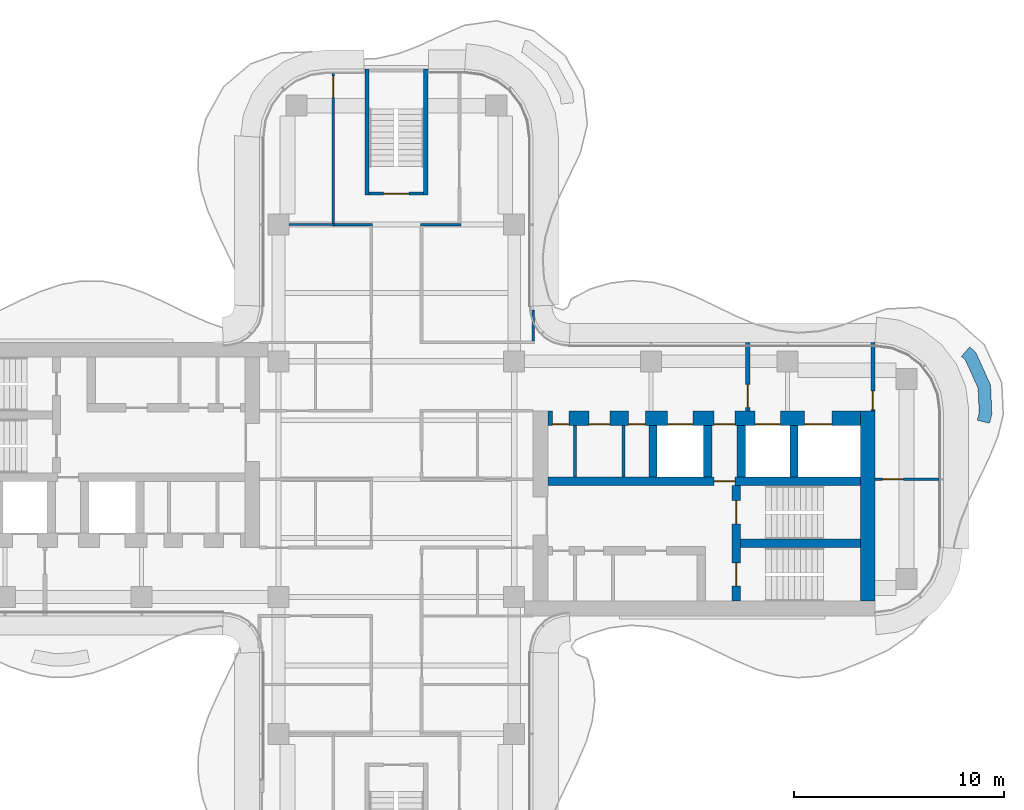
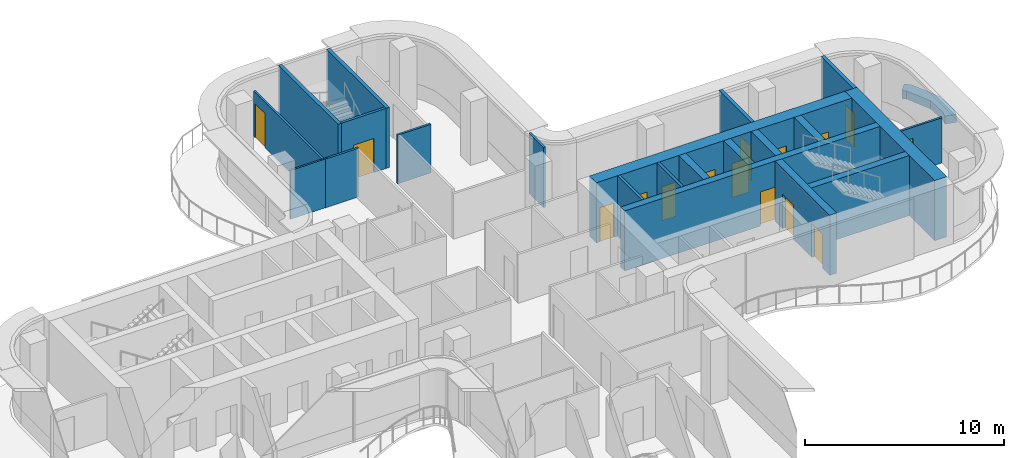
# One storey, part 13 of 16: 23 walls, 15 doors, 15 openings.
"""IFC4 building model written with IfcOpenShell, lengths in metres."""

from ifc_helpers import new_model, si_unit, direction, frame, frame_2d, origin, place, context, subcontext, project, spatial, polyline, rectangle, outline, extrude, source, transform, mapped, material, layer, layer_set, type_object, element, fill, save


model = new_model("IFC4")

# Units and contexts
model_context = context("Model", 3, precision=1e-05, world=origin(), true_north=direction((0.0, 1.0)))
body_context = subcontext(model_context, "Body", "Model", "MODEL_VIEW")
ifc_project = project(units=[si_unit("LENGTHUNIT", "METRE"), si_unit("AREAUNIT", "SQUARE_METRE"), si_unit("VOLUMEUNIT", "CUBIC_METRE"), si_unit("PLANEANGLEUNIT", "RADIAN"), si_unit("MASSUNIT", "GRAM", prefix="KILO")], contexts=[model_context])

# Site, building, storey
site_placement = place(None, origin())
site = spatial("IfcSite", under=ifc_project, at=site_placement, CompositionType="ELEMENT")
building_placement = place(site_placement, origin())
building = spatial("IfcBuilding", under=site, at=building_placement, Name="Trellis Farm Tower", CompositionType="ELEMENT")
storey_placement = place(building_placement, frame((0.0, 0.0, 310.60009765625)))
storey = spatial("IfcBuildingStorey", under=building, at=storey_placement, Name="L70", CompositionType="ELEMENT", Elevation=310.60009765625)

# Wall, opening, door
ifc_material_1 = material(Name="Plasterboard on steel studs, mineral wool", Category="steel")
ifc_layer_1 = layer(ifc_material_1, 0.125)
ifc_layer_set_1 = layer_set([ifc_layer_1], Name="PARTITION 125 STUD EI 60")
wall_type_1 = type_object("IfcWallType", Name="PARTITION 125 STUD EI 60", PredefinedType="PARTITIONING", material=ifc_layer_set_1)
wall_1_placement = place(storey_placement, frame((-3.0, 12.14990234375, 0.0), z_axis=(0.0, 0.0, 1.0), x_axis=(0.0, 1.0, 0.0)))
wall_1 = element("IfcWall", 1, at=wall_1_placement, inside=storey, type_object=wall_type_1, Name="Partition PW1", PredefinedType="PARTITIONING", context=body_context, shape_type="SweptSolid", body=[
    extrude(rectangle(XDim=7.150146484375, YDim=0.125, at=frame_2d((3.5751953125, 0.0))), origin(), (0.0, 0.0, 1.0), 2.77978515625),
])
shared_shape_1 = source(origin(), body_context, "Body", "SweptSolid", [
    extrude(rectangle(XDim=1.0, YDim=2.10009765625, at=frame_2d((0.5, 1.050048828125))), frame((0.0, 0.072509765625, 0.0), z_axis=(0.0, -1.0, 0.0), x_axis=(1.0, 0.0, 0.0)), (0.0, 0.0, 1.0), 0.14501953125),
])
opening_1_placement = place(wall_1_placement, frame((6.0, 0.0, 0.0)))
opening_1 = element("IfcOpeningElement", 2, at=opening_1_placement, cuts=wall_1, Name="Opening D115", PredefinedType="OPENING", context=body_context, shape_type="MappedRepresentation", body=[
    mapped(shared_shape_1, transform((0.0, 0.0, 0.0))),
])
ifc_material_2 = material(Name="Fire-rated timber door leaf in a hollow metal frame", Category="wood")
door_type_1 = type_object("IfcDoorType", Name="DOOR 1000x2100 FD30S", OperationType="NOTDEFINED", PredefinedType="DOOR", material=ifc_material_2)
shared_shape_2 = source(origin(), body_context, "Body", "SweptSolid", [
    extrude(rectangle(XDim=1.0, YDim=2.10009765625, at=frame_2d((0.5, 1.050048828125))), frame((0.0, 0.02490234375, 0.0), z_axis=(0.0, -1.0, 0.0), x_axis=(1.0, 0.0, 0.0)), (0.0, 0.0, 1.0), 0.050048828125),
])
door_1_placement = place(opening_1_placement, origin())
door_1 = element("IfcDoor", 3, at=door_1_placement, inside=storey, type_object=door_type_1, Name="Door D115", OperationType="SINGLE_SWING_RIGHT", OverallHeight=2.10009765625, OverallWidth=1.0, PredefinedType="DOOR", context=body_context, shape_type="MappedRepresentation", body=[
    mapped(shared_shape_2, transform((0.0, 0.0, 0.0))),
])
fill(opening_1, door_1)

# Walls
ifc_material_3 = material(Name="Sandstone faced masonry planter", Category="masonry")
ifc_layer_2 = layer(ifc_material_3, 0.60009765625)
ifc_layer_set_2 = layer_set([ifc_layer_2], Name="PLANTER BED 600")
wall_type_2 = type_object("IfcWallType", Name="PLANTER BED 600", PredefinedType="USERDEFINED", material=ifc_layer_set_2)
wall_2_placement = place(storey_placement, origin())
element("IfcWall", 4, at=wall_2_placement, inside=storey, type_object=wall_type_2, Name="PLANTER bed", ObjectType="PLANTER", PredefinedType="USERDEFINED", context=body_context, shape_type="SweptSolid", body=[
    extrude(outline(polyline([(28.243408203125, 4.46875), (28.3037109375, 3.096435546875), (28.190673828125, 2.656005859375), (27.609375, 2.805419921875), (27.700439453125, 3.1591796875), (27.64892578125, 4.326904296875), (27.043701171875, 5.664794921875), (26.852783203125, 5.83349609375), (27.25, 6.283203125), (27.53759765625, 6.029296875), (28.243408203125, 4.46875)])), origin(), (0.0, 0.0, 1.0), 0.5),
])
ifc_material_4 = material(Name="Concrete C50/60", Category="concrete")
ifc_layer_3 = layer(ifc_material_4, 0.699951171875)
ifc_layer_set_3 = layer_set([ifc_layer_3], Name="CORE OUTER WALL 700 CONCRETE C50/60")
wall_type_3 = type_object("IfcWallType", Name="CORE OUTER WALL 700 CONCRETE C50/60", PredefinedType="SHEAR", material=ifc_layer_set_3)
shared_shape_3 = source(origin(), body_context, "Body", "SweptSolid", [
    extrude(rectangle(XDim=9.050048828125, YDim=0.699951171875, at=frame_2d((4.52490234375, 0.0))), origin(), (0.0, 0.0, 1.0), 3.699951171875),
])
wall_3_placement = place(storey_placement, frame((22.39990234375, -5.800048828125, 0.0), z_axis=(0.0, 0.0, 1.0), x_axis=(0.0, 1.0, 0.0)))
element("IfcWall", 5, at=wall_3_placement, inside=storey, type_object=wall_type_3, Name="Core wall", PredefinedType="SHEAR", context=body_context, shape_type="MappedRepresentation", body=[
    mapped(shared_shape_3, transform((0.0, 0.0, 0.0))),
])
ifc_layer_4 = layer(ifc_material_4, 0.39990234375)
ifc_layer_set_4 = layer_set([ifc_layer_4], Name="CORE INNER WALL 400 CONCRETE C50/60")
wall_type_4 = type_object("IfcWallType", Name="CORE INNER WALL 400 CONCRETE C50/60", PredefinedType="SHEAR", material=ifc_layer_set_4)
shared_shape_4 = source(origin(), body_context, "Body", "SweptSolid", [
    extrude(rectangle(XDim=2.449951171875, YDim=0.39990234375, at=frame_2d((1.22509765625, 0.0))), origin(), (0.0, 0.0, 1.0), 3.699951171875),
])
for number, where, z_axis, x_axis, name in (
    (6, (12.199951171875, 0.10009765625, 0.0), (0.0, 0.0, 1.0), (0.0, 1.0, 0.0), "Core wall"),
    (7, (14.800048828125, 0.10009765625, 0.0), (0.0, 0.0, 1.0), (0.0, 1.0, 0.0), "Core wall"),
    (8, (16.39990234375, 0.10009765625, 0.0), (0.0, 0.0, 1.0), (0.0, 1.0, 0.0), "Core wall"),
    (9, (18.89990234375, 0.10009765625, 0.0), (0.0, 0.0, 1.0), (0.0, 1.0, 0.0), "Core wall"),
):
    element("IfcWall", number, at=place(storey_placement, frame(where, z_axis=z_axis, x_axis=x_axis)), inside=storey, type_object=wall_type_4, Name=name, PredefinedType="SHEAR", context=body_context, shape_type="MappedRepresentation", body=[
        mapped(shared_shape_4, transform((0.0, 0.0, 0.0))),
    ])

# Wall, opening, door
ifc_material_5 = material(Name="Masonry blockwork", Category="masonry")
ifc_layer_5 = layer(ifc_material_5, 0.199951171875)
ifc_layer_set_5 = layer_set([ifc_layer_5], Name="FIRE LOBBY PARTITION 200 BLOCKWORK")
wall_type_5 = type_object("IfcWallType", Name="FIRE LOBBY PARTITION 200 BLOCKWORK", PredefinedType="PARTITIONING", material=ifc_layer_set_5)
shared_shape_5 = source(origin(), body_context, "Body", "SweptSolid", [
    extrude(rectangle(XDim=3.25, YDim=0.199951171875, at=frame_2d((1.625, 0.0))), origin(), (0.0, 0.0, 1.0), 3.699951171875),
])
wall_4_placement = place(storey_placement, frame((16.699951171875, 3.25, 0.0), z_axis=(0.0, 0.0, 1.0), x_axis=(0.0, 1.0, 0.0)))
wall_4 = element("IfcWall", 10, at=wall_4_placement, inside=storey, type_object=wall_type_5, Name="Fire-fighting lobby partition", PredefinedType="PARTITIONING", context=body_context, shape_type="MappedRepresentation", body=[
    mapped(shared_shape_5, transform((0.0, 0.0, 0.0))),
])
shared_shape_6 = source(origin(), body_context, "Body", "SweptSolid", [
    extrude(rectangle(XDim=1.10009765625, YDim=2.10009765625, at=frame_2d((0.550048828125, 1.050048828125))), frame((0.0, 0.110107421875, 0.0), z_axis=(0.0, -1.0, 0.0), x_axis=(1.0, 0.0, 0.0)), (0.0, 0.0, 1.0), 0.22021484375),
])
opening_2_placement = place(wall_4_placement, frame((0.14990234375, 0.0, 0.0)))
opening_2 = element("IfcOpeningElement", 11, at=opening_2_placement, cuts=wall_4, Name="Opening DC7", PredefinedType="OPENING", context=body_context, shape_type="MappedRepresentation", body=[
    mapped(shared_shape_6, transform((0.0, 0.0, 0.0))),
])
ifc_material_6 = material(Name="Steel", Category="steel")
door_type_2 = type_object("IfcDoorType", Name="CORE FIRE DOOR 1100 X 2100", OperationType="NOTDEFINED", PredefinedType="DOOR", material=ifc_material_6)
shared_shape_7 = source(origin(), body_context, "Body", "SweptSolid", [
    extrude(rectangle(XDim=1.10009765625, YDim=2.10009765625, at=frame_2d((0.550048828125, 1.050048828125))), frame((0.0, 0.02490234375, 0.0), z_axis=(0.0, -1.0, 0.0), x_axis=(1.0, 0.0, 0.0)), (0.0, 0.0, 1.0), 0.050048828125),
])
door_2_placement = place(opening_2_placement, origin())
door_2 = element("IfcDoor", 12, at=door_2_placement, inside=storey, type_object=door_type_2, Name="Core door", OperationType="SINGLE_SWING_RIGHT", OverallHeight=2.10009765625, OverallWidth=1.10009765625, PredefinedType="DOOR", context=body_context, shape_type="MappedRepresentation", body=[
    mapped(shared_shape_7, transform((0.0, 0.0, 0.0))),
])
fill(opening_2, door_2)

wall_5_placement = place(storey_placement, frame((22.64990234375, 3.25, 0.0), z_axis=(0.0, 0.0, 1.0), x_axis=(0.0, 1.0, 0.0)))
wall_5 = element("IfcWall", 13, at=wall_5_placement, inside=storey, type_object=wall_type_5, Name="Fire-fighting lobby partition", PredefinedType="PARTITIONING", context=body_context, shape_type="MappedRepresentation", body=[
    mapped(shared_shape_5, transform((0.0, 0.0, 0.0))),
])
shared_shape_8 = source(origin(), body_context, "Body", "SweptSolid", [
    extrude(rectangle(XDim=0.89990234375, YDim=2.10009765625, at=frame_2d((0.449951171875, 1.050048828125))), frame((0.0, 0.110107421875, 0.0), z_axis=(0.0, -1.0, 0.0), x_axis=(1.0, 0.0, 0.0)), (0.0, 0.0, 1.0), 0.22021484375),
])
opening_3_placement = place(wall_5_placement, frame((0.050048828125, 0.0, 0.0)))
opening_3 = element("IfcOpeningElement", 14, at=opening_3_placement, cuts=wall_5, Name="Opening DC8", PredefinedType="OPENING", context=body_context, shape_type="MappedRepresentation", body=[
    mapped(shared_shape_8, transform((0.0, 0.0, 0.0))),
])
door_type_3 = type_object("IfcDoorType", Name="CORE FIRE DOOR 900 X 2100", OperationType="NOTDEFINED", PredefinedType="DOOR", material=ifc_material_6)
shared_shape_9 = source(origin(), body_context, "Body", "SweptSolid", [
    extrude(rectangle(XDim=0.89990234375, YDim=2.10009765625, at=frame_2d((0.449951171875, 1.050048828125))), frame((0.0, 0.02490234375, 0.0), z_axis=(0.0, -1.0, 0.0), x_axis=(1.0, 0.0, 0.0)), (0.0, 0.0, 1.0), 0.050048828125),
])
door_3_placement = place(opening_3_placement, origin())
door_3 = element("IfcDoor", 15, at=door_3_placement, inside=storey, type_object=door_type_3, Name="Core door", OperationType="SINGLE_SWING_RIGHT", OverallHeight=2.10009765625, OverallWidth=0.89990234375, PredefinedType="DOOR", context=body_context, shape_type="MappedRepresentation", body=[
    mapped(shared_shape_9, transform((0.0, 0.0, 0.0))),
])
fill(opening_3, door_3)

# Wall, openings, doors
shared_shape_10 = source(origin(), body_context, "Body", "SweptSolid", [
    extrude(rectangle(XDim=14.85009765625, YDim=0.699951171875, at=frame_2d((7.425048828125, 0.0))), origin(), (0.0, 0.0, 1.0), 3.699951171875),
])
wall_6_placement = place(storey_placement, frame((7.199951171875, 2.89990234375, 0.0), z_axis=(0.0, 0.0, 1.0), x_axis=(1.0, 0.0, 0.0)))
wall_6 = element("IfcWall", 16, at=wall_6_placement, inside=storey, type_object=wall_type_3, Name="Core wall", PredefinedType="SHEAR", context=body_context, shape_type="MappedRepresentation", body=[
    mapped(shared_shape_10, transform((0.0, 0.0, 0.0))),
])
shared_shape_11 = source(origin(), body_context, "Body", "SweptSolid", [
    extrude(rectangle(XDim=1.199951171875, YDim=2.10009765625, at=frame_2d((0.60009765625, 1.050048828125))), frame((0.0, 0.360107421875, 0.0), z_axis=(0.0, -1.0, 0.0), x_axis=(1.0, 0.0, 0.0)), (0.0, 0.0, 1.0), 0.72021484375),
])
opening_4_placement = place(wall_6_placement, frame((5.699951171875, 0.0, 0.0)))
opening_4 = element("IfcOpeningElement", 17, at=opening_4_placement, cuts=wall_6, Name="Opening LD6", PredefinedType="OPENING", context=body_context, shape_type="MappedRepresentation", body=[
    mapped(shared_shape_11, transform((0.0, 0.0, 0.0))),
])
shared_shape_12 = source(origin(), body_context, "Body", "SweptSolid", [
    extrude(rectangle(XDim=1.300048828125, YDim=2.10009765625, at=frame_2d((0.64990234375, 1.050048828125))), frame((0.0, 0.360107421875, 0.0), z_axis=(0.0, -1.0, 0.0), x_axis=(1.0, 0.0, 0.0)), (0.0, 0.0, 1.0), 0.72021484375),
])
opening_5_placement = place(wall_6_placement, frame((12.199951171875, 0.0, 0.0)))
opening_5 = element("IfcOpeningElement", 18, at=opening_5_placement, cuts=wall_6, Name="Opening LD7", PredefinedType="OPENING", context=body_context, shape_type="MappedRepresentation", body=[
    mapped(shared_shape_12, transform((0.0, 0.0, 0.0))),
])
opening_6_placement = place(wall_6_placement, frame((9.85009765625, 0.0, 0.0)))
opening_6 = element("IfcOpeningElement", 19, at=opening_6_placement, cuts=wall_6, Name="Opening LD8", PredefinedType="OPENING", context=body_context, shape_type="MappedRepresentation", body=[
    mapped(shared_shape_11, transform((0.0, 0.0, 0.0))),
])
shared_shape_13 = source(origin(), body_context, "Body", "SweptSolid", [
    extrude(rectangle(XDim=1.0, YDim=2.10009765625, at=frame_2d((0.5, 1.050048828125))), frame((0.0, 0.360107421875, 0.0), z_axis=(0.0, -1.0, 0.0), x_axis=(1.0, 0.0, 0.0)), (0.0, 0.0, 1.0), 0.72021484375),
])
opening_7_placement = place(wall_6_placement, frame((7.89990234375, 0.0, 0.0)))
opening_7 = element("IfcOpeningElement", 20, at=opening_7_placement, cuts=wall_6, Name="Opening DC6", PredefinedType="OPENING", context=body_context, shape_type="MappedRepresentation", body=[
    mapped(shared_shape_13, transform((0.0, 0.0, 0.0))),
])
shared_shape_14 = source(origin(), body_context, "Body", "SweptSolid", [
    extrude(rectangle(XDim=0.800048828125, YDim=2.10009765625, at=frame_2d((0.39990234375, 1.050048828125))), frame((0.0, 0.360107421875, 0.0), z_axis=(0.0, -1.0, 0.0), x_axis=(1.0, 0.0, 0.0)), (0.0, 0.0, 1.0), 0.72021484375),
])
opening_8_placement = place(wall_6_placement, frame((0.21240234375, 0.0, 0.0)))
opening_8 = element("IfcOpeningElement", 21, at=opening_8_placement, cuts=wall_6, Name="Opening DC10", PredefinedType="OPENING", context=body_context, shape_type="MappedRepresentation", body=[
    mapped(shared_shape_14, transform((0.0, 0.0, 0.0))),
])
opening_9_placement = place(wall_6_placement, frame((1.949951171875, 0.0, 0.0)))
opening_9 = element("IfcOpeningElement", 22, at=opening_9_placement, cuts=wall_6, Name="Opening DC19", PredefinedType="OPENING", context=body_context, shape_type="MappedRepresentation", body=[
    mapped(shared_shape_13, transform((0.0, 0.0, 0.0))),
])
opening_10_placement = place(wall_6_placement, frame((3.83740234375, 0.0, 0.0)))
opening_10 = element("IfcOpeningElement", 23, at=opening_10_placement, cuts=wall_6, Name="Opening DC22", PredefinedType="OPENING", context=body_context, shape_type="MappedRepresentation", body=[
    mapped(shared_shape_14, transform((0.0, 0.0, 0.0))),
])
door_type_4 = type_object("IfcDoorType", Name="CORE FIRE DOOR 1000 X 2100", OperationType="NOTDEFINED", PredefinedType="DOOR", material=ifc_material_6)
shared_shape_15 = source(origin(), body_context, "Body", "SweptSolid", [
    extrude(rectangle(XDim=1.0, YDim=2.10009765625, at=frame_2d((0.5, 1.050048828125))), frame((0.0, -0.27490234375, 0.0), z_axis=(0.0, -1.0, 0.0), x_axis=(1.0, 0.0, 0.0)), (0.0, 0.0, 1.0), 0.050048828125),
])
door_4_placement = place(opening_7_placement, origin())
door_4 = element("IfcDoor", 24, at=door_4_placement, inside=storey, type_object=door_type_4, Name="Core door", OperationType="SINGLE_SWING_LEFT", OverallHeight=2.10009765625, OverallWidth=1.0, PredefinedType="DOOR", context=body_context, shape_type="MappedRepresentation", body=[
    mapped(shared_shape_15, transform((0.0, 0.0, 0.0))),
])
fill(opening_7, door_4)
door_5_placement = place(opening_9_placement, origin())
door_5 = element("IfcDoor", 25, at=door_5_placement, inside=storey, type_object=door_type_4, Name="Core door", OperationType="SINGLE_SWING_LEFT", OverallHeight=2.10009765625, OverallWidth=1.0, PredefinedType="DOOR", context=body_context, shape_type="MappedRepresentation", body=[
    mapped(shared_shape_15, transform((0.0, 0.0, 0.0))),
])
fill(opening_9, door_5)
ifc_material_7 = material(Name="Stainless steel", Category="steel")
door_type_5 = type_object("IfcDoorType", Name="LIFT LANDING DOOR 1300 X 2100", OperationType="DOUBLE_DOOR_SLIDING", PredefinedType="DOOR", material=ifc_material_7)
shared_shape_16 = source(origin(), body_context, "Body", "SweptSolid", [
    extrude(rectangle(XDim=1.300048828125, YDim=2.10009765625, at=frame_2d((0.64990234375, 1.050048828125))), frame((0.0, -0.27490234375, 0.0), z_axis=(0.0, -1.0, 0.0), x_axis=(1.0, 0.0, 0.0)), (0.0, 0.0, 1.0), 0.050048828125),
])
door_6_placement = place(opening_5_placement, origin())
door_6 = element("IfcDoor", 26, at=door_6_placement, inside=storey, type_object=door_type_5, Name="Lift landing door", OperationType="DOUBLE_DOOR_SLIDING", OverallHeight=2.10009765625, OverallWidth=1.300048828125, PredefinedType="DOOR", context=body_context, shape_type="MappedRepresentation", body=[
    mapped(shared_shape_16, transform((0.0, 0.0, 0.0))),
])
fill(opening_5, door_6)
door_type_6 = type_object("IfcDoorType", Name="LIFT LANDING DOOR 1200 X 2100", OperationType="DOUBLE_DOOR_SLIDING", PredefinedType="DOOR", material=ifc_material_7)
shared_shape_17 = source(origin(), body_context, "Body", "SweptSolid", [
    extrude(rectangle(XDim=1.199951171875, YDim=2.10009765625, at=frame_2d((0.60009765625, 1.050048828125))), frame((0.0, -0.27490234375, 0.0), z_axis=(0.0, -1.0, 0.0), x_axis=(1.0, 0.0, 0.0)), (0.0, 0.0, 1.0), 0.050048828125),
])
door_7_placement = place(opening_4_placement, origin())
door_7 = element("IfcDoor", 27, at=door_7_placement, inside=storey, type_object=door_type_6, Name="Lift landing door", OperationType="DOUBLE_DOOR_SLIDING", OverallHeight=2.10009765625, OverallWidth=1.199951171875, PredefinedType="DOOR", context=body_context, shape_type="MappedRepresentation", body=[
    mapped(shared_shape_17, transform((0.0, 0.0, 0.0))),
])
fill(opening_4, door_7)
door_8_placement = place(opening_6_placement, origin())
door_8 = element("IfcDoor", 28, at=door_8_placement, inside=storey, type_object=door_type_6, Name="Lift landing door", OperationType="DOUBLE_DOOR_SLIDING", OverallHeight=2.10009765625, OverallWidth=1.199951171875, PredefinedType="DOOR", context=body_context, shape_type="MappedRepresentation", body=[
    mapped(shared_shape_17, transform((0.0, 0.0, 0.0))),
])
fill(opening_6, door_8)
door_type_7 = type_object("IfcDoorType", Name="CORE FIRE DOOR 800 X 2100", OperationType="NOTDEFINED", PredefinedType="DOOR", material=ifc_material_6)
shared_shape_18 = source(origin(), body_context, "Body", "SweptSolid", [
    extrude(rectangle(XDim=0.800048828125, YDim=2.10009765625, at=frame_2d((0.39990234375, 1.050048828125))), frame((0.0, -0.27490234375, 0.0), z_axis=(0.0, -1.0, 0.0), x_axis=(1.0, 0.0, 0.0)), (0.0, 0.0, 1.0), 0.050048828125),
])
door_9_placement = place(opening_8_placement, origin())
door_9 = element("IfcDoor", 29, at=door_9_placement, inside=storey, type_object=door_type_7, Name="Core door", OperationType="SINGLE_SWING_RIGHT", OverallHeight=2.10009765625, OverallWidth=0.800048828125, PredefinedType="DOOR", context=body_context, shape_type="MappedRepresentation", body=[
    mapped(shared_shape_18, transform((0.0, 0.0, 0.0))),
])
fill(opening_8, door_9)
door_10_placement = place(opening_10_placement, origin())
door_10 = element("IfcDoor", 30, at=door_10_placement, inside=storey, type_object=door_type_7, Name="Core door", OperationType="SINGLE_SWING_RIGHT", OverallHeight=2.10009765625, OverallWidth=0.800048828125, PredefinedType="DOOR", context=body_context, shape_type="MappedRepresentation", body=[
    mapped(shared_shape_18, transform((0.0, 0.0, 0.0))),
])
fill(opening_10, door_10)

# Wall, opening, door
shared_shape_19 = source(origin(), body_context, "Body", "SweptSolid", [
    extrude(rectangle(XDim=14.85009765625, YDim=0.39990234375, at=frame_2d((7.425048828125, 0.0))), origin(), (0.0, 0.0, 1.0), 3.699951171875),
])
wall_7_placement = place(storey_placement, frame((7.199951171875, -0.10009765625, 0.0), z_axis=(0.0, 0.0, 1.0), x_axis=(1.0, 0.0, 0.0)))
wall_7 = element("IfcWall", 31, at=wall_7_placement, inside=storey, type_object=wall_type_4, Name="Core wall", PredefinedType="SHEAR", context=body_context, shape_type="MappedRepresentation", body=[
    mapped(shared_shape_19, transform((0.0, 0.0, 0.0))),
])
shared_shape_20 = source(origin(), body_context, "Body", "SweptSolid", [
    extrude(rectangle(XDim=1.0, YDim=2.10009765625, at=frame_2d((0.5, 1.050048828125))), frame((0.0, 0.2099609375, 0.0), z_axis=(0.0, -1.0, 0.0), x_axis=(1.0, 0.0, 0.0)), (0.0, 0.0, 1.0), 0.419921875),
])
opening_11_placement = place(wall_7_placement, frame((7.89990234375, 0.0, 0.0)))
opening_11 = element("IfcOpeningElement", 32, at=opening_11_placement, cuts=wall_7, Name="Opening DC5", PredefinedType="OPENING", context=body_context, shape_type="MappedRepresentation", body=[
    mapped(shared_shape_20, transform((0.0, 0.0, 0.0))),
])
door_11_placement = place(opening_11_placement, origin())
door_11 = element("IfcDoor", 33, at=door_11_placement, inside=storey, type_object=door_type_4, Name="Core door", OperationType="SINGLE_SWING_RIGHT", OverallHeight=2.10009765625, OverallWidth=1.0, PredefinedType="DOOR", context=body_context, shape_type="MappedRepresentation", body=[
    mapped(shared_shape_2, transform((0.0, 0.0, 0.0))),
])
fill(opening_11, door_11)

# Wall, openings, doors
shared_shape_21 = source(origin(), body_context, "Body", "SweptSolid", [
    extrude(rectangle(XDim=5.5, YDim=0.39990234375, at=frame_2d((2.75, 0.0))), origin(), (0.0, 0.0, 1.0), 3.699951171875),
])
wall_8_placement = place(storey_placement, frame((16.14990234375, -5.800048828125, 0.0), z_axis=(0.0, 0.0, 1.0), x_axis=(0.0, 1.0, 0.0)))
wall_8 = element("IfcWall", 34, at=wall_8_placement, inside=storey, type_object=wall_type_4, Name="Core wall", PredefinedType="SHEAR", context=body_context, shape_type="MappedRepresentation", body=[
    mapped(shared_shape_21, transform((0.0, 0.0, 0.0))),
])
shared_shape_22 = source(origin(), body_context, "Body", "SweptSolid", [
    extrude(rectangle(XDim=1.10009765625, YDim=2.10009765625, at=frame_2d((0.550048828125, 1.050048828125))), frame((0.0, 0.2099609375, 0.0), z_axis=(0.0, -1.0, 0.0), x_axis=(1.0, 0.0, 0.0)), (0.0, 0.0, 1.0), 0.419921875),
])
opening_12_placement = place(wall_8_placement, frame((0.72509765625, 0.0, 0.0)))
opening_12 = element("IfcOpeningElement", 35, at=opening_12_placement, cuts=wall_8, Name="Opening DC2", PredefinedType="OPENING", context=body_context, shape_type="MappedRepresentation", body=[
    mapped(shared_shape_22, transform((0.0, 0.0, 0.0))),
])
opening_13_placement = place(wall_8_placement, frame((3.675048828125, 0.0, 0.0)))
opening_13 = element("IfcOpeningElement", 36, at=opening_13_placement, cuts=wall_8, Name="Opening DC3", PredefinedType="OPENING", context=body_context, shape_type="MappedRepresentation", body=[
    mapped(shared_shape_22, transform((0.0, 0.0, 0.0))),
])
door_12_placement = place(opening_12_placement, origin())
door_12 = element("IfcDoor", 37, at=door_12_placement, inside=storey, type_object=door_type_2, Name="Core door", OperationType="SINGLE_SWING_RIGHT", OverallHeight=2.10009765625, OverallWidth=1.10009765625, PredefinedType="DOOR", context=body_context, shape_type="MappedRepresentation", body=[
    mapped(shared_shape_7, transform((0.0, 0.0, 0.0))),
])
fill(opening_12, door_12)
door_13_placement = place(opening_13_placement, origin())
door_13 = element("IfcDoor", 38, at=door_13_placement, inside=storey, type_object=door_type_2, Name="Core door", OperationType="SINGLE_SWING_LEFT", OverallHeight=2.10009765625, OverallWidth=1.10009765625, PredefinedType="DOOR", context=body_context, shape_type="MappedRepresentation", body=[
    mapped(shared_shape_7, transform((0.0, 0.0, 0.0))),
])
fill(opening_13, door_13)

# Walls
shared_shape_23 = source(origin(), body_context, "Body", "SweptSolid", [
    extrude(rectangle(XDim=5.699951171875, YDim=0.39990234375, at=frame_2d((2.85009765625, 0.0))), origin(), (0.0, 0.0, 1.0), 3.699951171875),
])
wall_9_placement = place(storey_placement, frame((16.35009765625, -3.050048828125, 0.0), z_axis=(0.0, 0.0, 1.0), x_axis=(1.0, 0.0, 0.0)))
element("IfcWall", 39, at=wall_9_placement, inside=storey, type_object=wall_type_4, Name="Core wall", PredefinedType="SHEAR", context=body_context, shape_type="MappedRepresentation", body=[
    mapped(shared_shape_23, transform((0.0, 0.0, 0.0))),
])
ifc_layer_6 = layer(ifc_material_5, 0.14990234375)
ifc_layer_set_6 = layer_set([ifc_layer_6], Name="CORE PARTITION 150 BLOCKWORK")
wall_type_6 = type_object("IfcWallType", Name="CORE PARTITION 150 BLOCKWORK", PredefinedType="PARTITIONING", material=ifc_layer_set_6)
shared_shape_24 = source(origin(), body_context, "Body", "SweptSolid", [
    extrude(rectangle(XDim=2.449951171875, YDim=0.14990234375, at=frame_2d((1.22509765625, 0.0))), origin(), (0.0, 0.0, 1.0), 3.699951171875),
])
for number, where, z_axis, x_axis, name in (
    (40, (8.5, 0.10009765625, 0.0), (0.0, 0.0, 1.0), (0.0, 1.0, 0.0), "Core room partition"),
    (41, (10.800048828125, 0.10009765625, 0.0), (0.0, 0.0, 1.0), (0.0, 1.0, 0.0), "Core room partition"),
):
    element("IfcWall", number, at=place(storey_placement, frame(where, z_axis=z_axis, x_axis=x_axis)), inside=storey, type_object=wall_type_6, Name=name, PredefinedType="PARTITIONING", context=body_context, shape_type="MappedRepresentation", body=[
        mapped(shared_shape_24, transform((0.0, 0.0, 0.0))),
    ])
ifc_layer_7 = layer(ifc_material_4, 0.199951171875)
ifc_layer_set_7 = layer_set([ifc_layer_7], Name="CORE STAIR ENCLOSURE WALL 200 CONCRETE C50/60")
wall_type_7 = type_object("IfcWallType", Name="CORE STAIR ENCLOSURE WALL 200 CONCRETE C50/60", PredefinedType="SHEAR", material=ifc_layer_set_7)
shared_shape_25 = source(origin(), body_context, "Body", "SweptSolid", [
    extrude(rectangle(XDim=6.0, YDim=0.199951171875, at=frame_2d((3.0, 0.0))), origin(), (0.0, 0.0, 1.0), 3.699951171875),
])
for number, where, z_axis, x_axis, name in (
    (42, (-1.39990234375, 13.5, 0.0), (0.0, 0.0, 1.0), (0.0, 1.0, 0.0), "Stair enclosure wall"),
    (43, (1.39990234375, 13.5, 0.0), (0.0, 0.0, 1.0), (0.0, 1.0, 0.0), "Stair enclosure wall"),
):
    element("IfcWall", number, at=place(storey_placement, frame(where, z_axis=z_axis, x_axis=x_axis)), inside=storey, type_object=wall_type_7, Name=name, PredefinedType="SHEAR", context=body_context, shape_type="MappedRepresentation", body=[
        mapped(shared_shape_25, transform((0.0, 0.0, 0.0))),
    ])

# Wall, opening, door
ifc_layer_8 = layer(ifc_material_4, 0.14990234375)
ifc_layer_set_8 = layer_set([ifc_layer_8], Name="CORE STAIR ENCLOSURE WALL 150 CONCRETE C50/60")
wall_type_8 = type_object("IfcWallType", Name="CORE STAIR ENCLOSURE WALL 150 CONCRETE C50/60", PredefinedType="SHEAR", material=ifc_layer_set_8)
shared_shape_26 = source(origin(), body_context, "Body", "SweptSolid", [
    extrude(rectangle(XDim=2.60009765625, YDim=0.14990234375, at=frame_2d((1.300048828125, 0.0))), origin(), (0.0, 0.0, 1.0), 3.699951171875),
])
wall_10_placement = place(storey_placement, frame((-1.300048828125, 13.574951171875, 0.0), z_axis=(0.0, 0.0, 1.0), x_axis=(1.0, 0.0, 0.0)))
wall_10 = element("IfcWall", 44, at=wall_10_placement, inside=storey, type_object=wall_type_8, Name="Stair enclosure wall", PredefinedType="SHEAR", context=body_context, shape_type="MappedRepresentation", body=[
    mapped(shared_shape_26, transform((0.0, 0.0, 0.0))),
])
shared_shape_27 = source(origin(), body_context, "Body", "SweptSolid", [
    extrude(rectangle(XDim=1.199951171875, YDim=2.10009765625, at=frame_2d((0.60009765625, 1.050048828125))), frame((0.0, 0.0849609375, 0.0), z_axis=(0.0, -1.0, 0.0), x_axis=(1.0, 0.0, 0.0)), (0.0, 0.0, 1.0), 0.169921875),
])
opening_14_placement = place(wall_10_placement, frame((0.699951171875, 0.0, 0.0)))
opening_14 = element("IfcOpeningElement", 45, at=opening_14_placement, cuts=wall_10, Name="Opening DC173", PredefinedType="OPENING", context=body_context, shape_type="MappedRepresentation", body=[
    mapped(shared_shape_27, transform((0.0, 0.0, 0.0))),
])
door_type_8 = type_object("IfcDoorType", Name="CORE FIRE DOOR 1200 X 2100", OperationType="NOTDEFINED", PredefinedType="DOOR", material=ifc_material_6)
shared_shape_28 = source(origin(), body_context, "Body", "SweptSolid", [
    extrude(rectangle(XDim=1.199951171875, YDim=2.10009765625, at=frame_2d((0.60009765625, 1.050048828125))), frame((0.0, 0.02490234375, 0.0), z_axis=(0.0, -1.0, 0.0), x_axis=(1.0, 0.0, 0.0)), (0.0, 0.0, 1.0), 0.050048828125),
])
door_14_placement = place(opening_14_placement, origin())
door_14 = element("IfcDoor", 46, at=door_14_placement, inside=storey, type_object=door_type_8, Name="Core door", OperationType="SINGLE_SWING_LEFT", OverallHeight=2.10009765625, OverallWidth=1.199951171875, PredefinedType="DOOR", context=body_context, shape_type="MappedRepresentation", body=[
    mapped(shared_shape_28, transform((0.0, 0.0, 0.0))),
])
fill(opening_14, door_14)

# Walls
shared_shape_29 = source(origin(), body_context, "Body", "SweptSolid", [
    extrude(rectangle(XDim=1.468994140625, YDim=0.125, at=frame_2d((0.734375, 0.0))), origin(), (0.0, 0.0, 1.0), 3.699951171875),
])
wall_11_placement = place(storey_placement, frame((6.5, 6.5625, 0.0), z_axis=(0.0, 0.0, 1.0), x_axis=(0.0, 1.0, 0.0)))
element("IfcWall", 47, at=wall_11_placement, inside=storey, type_object=wall_type_1, Name="Partition PW1", PredefinedType="PARTITIONING", context=body_context, shape_type="MappedRepresentation", body=[
    mapped(shared_shape_29, transform((0.0, 0.0, 0.0))),
])
shared_shape_30 = source(origin(), body_context, "Body", "SweptSolid", [
    extrude(rectangle(XDim=1.925048828125, YDim=0.125, at=frame_2d((0.96240234375, 0.0))), origin(), (0.0, 0.0, 1.0), 2.99658203125),
])
for number, where, z_axis, x_axis, name in (
    (48, (-1.137451171875, 12.10009765625, 0.0), (0.0, 0.0, 1.0), (-1.0, 0.0, 0.0), "Partition PW1"),
    (49, (3.0625, 12.10009765625, 0.0), (0.0, 0.0, 1.0), (-1.0, 0.0, 0.0), "Partition PW1"),
):
    element("IfcWall", number, at=place(storey_placement, frame(where, z_axis=z_axis, x_axis=x_axis)), inside=storey, type_object=wall_type_1, Name=name, PredefinedType="PARTITIONING", context=body_context, shape_type="MappedRepresentation", body=[
        mapped(shared_shape_30, transform((0.0, 0.0, 0.0))),
    ])

# Wall, opening, door
shared_shape_31 = source(origin(), body_context, "Body", "SweptSolid", [
    extrude(rectangle(XDim=3.050048828125, YDim=0.125, at=frame_2d((1.52490234375, 0.0))), origin(), (0.0, 0.0, 1.0), 2.77978515625),
])
wall_12_placement = place(storey_placement, frame((25.800048828125, 0.0, 0.0), z_axis=(0.0, 0.0, 1.0), x_axis=(-1.0, 0.0, 0.0)))
wall_12 = element("IfcWall", 50, at=wall_12_placement, inside=storey, type_object=wall_type_1, Name="Partition PW1", PredefinedType="PARTITIONING", context=body_context, shape_type="MappedRepresentation", body=[
    mapped(shared_shape_31, transform((0.0, 0.0, 0.0))),
])
opening_15_placement = place(wall_12_placement, frame((1.699951171875, 0.0, 0.0)))
opening_15 = element("IfcOpeningElement", 51, at=opening_15_placement, cuts=wall_12, Name="Opening D110", PredefinedType="OPENING", context=body_context, shape_type="MappedRepresentation", body=[
    mapped(shared_shape_1, transform((0.0, 0.0, 0.0))),
])
door_15_placement = place(opening_15_placement, origin())
door_15 = element("IfcDoor", 52, at=door_15_placement, inside=storey, type_object=door_type_1, Name="Door D110", OperationType="SINGLE_SWING_RIGHT", OverallHeight=2.10009765625, OverallWidth=1.0, PredefinedType="DOOR", context=body_context, shape_type="MappedRepresentation", body=[
    mapped(shared_shape_2, transform((0.0, 0.0, 0.0))),
])
fill(opening_15, door_15)

# Wall
ifc_material_8 = material(Name="Plasterboard on steel studs", Category="steel")
ifc_layer_9 = layer(ifc_material_8, 0.10009765625)
ifc_layer_set_9 = layer_set([ifc_layer_9], Name="PARTITION 100 STUD EI 30")
wall_type_9 = type_object("IfcWallType", Name="PARTITION 100 STUD EI 30", PredefinedType="PARTITIONING", material=ifc_layer_set_9)
shared_shape_32 = source(origin(), body_context, "Body", "SweptSolid", [
    extrude(rectangle(XDim=2.16259765625, YDim=0.10009765625, at=frame_2d((1.081298828125, 0.0))), origin(), (0.0, 0.0, 1.0), 2.99658203125),
])
wall_13_placement = place(storey_placement, frame((-5.10009765625, 12.10009765625, 0.0), z_axis=(0.0, 0.0, 1.0), x_axis=(1.0, 0.0, 0.0)))
element("IfcWall", 53, at=wall_13_placement, inside=storey, type_object=wall_type_9, Name="Partition PW2", PredefinedType="PARTITIONING", context=body_context, shape_type="MappedRepresentation", body=[
    mapped(shared_shape_32, transform((0.0, 0.0, 0.0))),
])

save(model, "model.ifc")
